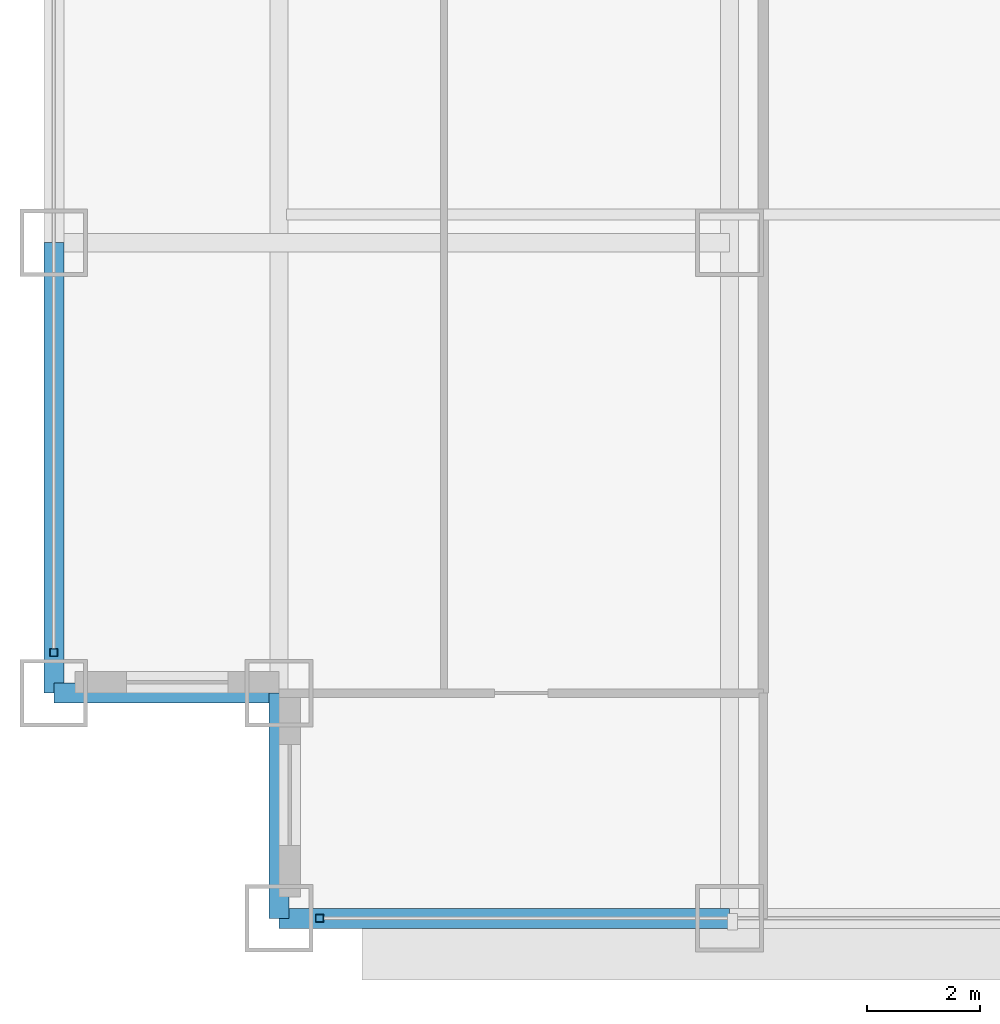
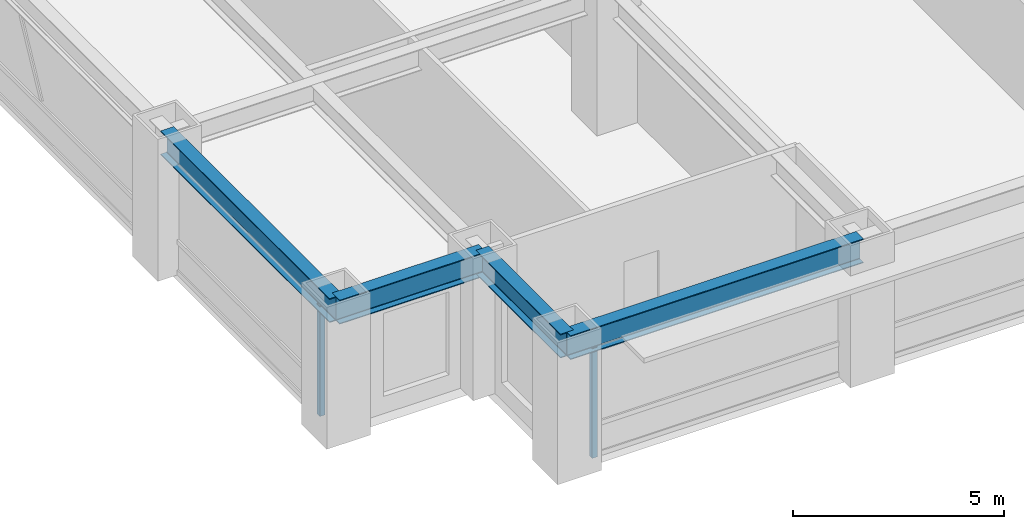
# One storey, part 2 of 32: 4 beams, 2 members, 2 elements without a shape of their own.
"""IFC4 building model written with IfcOpenShell, lengths in metres."""

from ifc_helpers import new_model, si_unit, direction, frame, origin, origin_2d, place, context, subcontext, project, spatial, hollow_rectangle, i_section, extrude, source, transform, mapped, material, material_profile, profile_set, type_object, element, aggregate, save


model = new_model("IFC4")

# Units and contexts
model_context = context("Model", 3, precision=1e-05, world=origin(), true_north=direction((0.0, 1.0)))
body_context = subcontext(model_context, "Body", "Model", "MODEL_VIEW")
ifc_project = project(units=[si_unit("LENGTHUNIT", "METRE"), si_unit("AREAUNIT", "SQUARE_METRE"), si_unit("VOLUMEUNIT", "CUBIC_METRE"), si_unit("PLANEANGLEUNIT", "RADIAN"), si_unit("MASSUNIT", "GRAM", prefix="KILO")], contexts=[model_context])

# Site, building, storey
site_placement = place(None, origin())
site = spatial("IfcSite", under=ifc_project, at=site_placement, CompositionType="ELEMENT")
building_placement = place(site_placement, origin())
building = spatial("IfcBuilding", under=site, at=building_placement, Name="Khorayat Bourse Tower", CompositionType="ELEMENT")
storey_placement = place(building_placement, frame((0.0, 0.0, 128.300048828125)))
storey = spatial("IfcBuildingStorey", under=building, at=storey_placement, Name="L29", CompositionType="ELEMENT", Elevation=128.300048828125)

# Beams
ifc_material_1 = material(Name="Steel ASTM A992 Grade 50", Category="steel")
ifc_material_profile_1 = material_profile(ifc_material_1, i_section(OverallWidth=0.35498046875, OverallDepth=0.695068359375, WebThickness=0.015380859375, FlangeThickness=0.02490234375, FilletRadius=0.01806640625, at=origin_2d()), Name="W690X217")
ifc_profile_set_1 = profile_set([ifc_material_profile_1], Name="Steel ASTM A992 Grade 50")
beam_type = type_object("IfcBeamType", Name="BM-SPAN-690", PredefinedType="SPANDREL", material=ifc_profile_set_1)
shared_shape_1 = source(origin(), body_context, "Body", "SweptSolid", [
    extrude(i_section(OverallWidth=0.35498046875, OverallDepth=0.695068359375, WebThickness=0.015380859375, FlangeThickness=0.02490234375, FilletRadius=0.01806640625, at=origin_2d()), origin(), (0.0, 0.0, 1.0), 8.0),
])
for number, where, z_axis, x_axis, name in (
    (1, (-28.0, -32.0, 3.492431640625), (1.0, 0.0, 0.0), (0.0, 1.0, 0.0), "L29 BM-SPAN-690 BM-L29-SPN-024"),
    (2, (-32.0, -28.0, 3.492431640625), (0.0, 1.0, 0.0), (-1.0, 0.0, 0.0), "L29 BM-SPAN-690 BM-L29-SPN-061"),
):
    element("IfcBeam", number, at=place(storey_placement, frame(where, z_axis=z_axis, x_axis=x_axis)), inside=storey, type_object=beam_type, Name=name, PredefinedType="SPANDREL", context=body_context, shape_type="MappedRepresentation", body=[
        mapped(shared_shape_1, transform((0.0, 0.0, 0.0), scale=1.0)),
    ])
shared_shape_2 = source(origin(), body_context, "Body", "SweptSolid", [
    extrude(i_section(OverallWidth=0.35498046875, OverallDepth=0.695068359375, WebThickness=0.015380859375, FlangeThickness=0.02490234375, FilletRadius=0.01806640625, at=origin_2d()), origin(), (0.0, 0.0, 1.0), 4.0),
])
for number, where, z_axis, x_axis, name in (
    (3, (-32.0, -28.0, 3.492431640625), (1.0, 0.0, 0.0), (0.0, 1.0, 0.0), "L29 BM-SPAN-690 BM-L29-SPN-062"),
    (4, (-28.0, -32.0, 3.492431640625), (0.0, 1.0, 0.0), (-1.0, 0.0, 0.0), "L29 BM-SPAN-690 BM-L29-SPN-063"),
):
    element("IfcBeam", number, at=place(storey_placement, frame(where, z_axis=z_axis, x_axis=x_axis)), inside=storey, type_object=beam_type, Name=name, PredefinedType="SPANDREL", context=body_context, shape_type="MappedRepresentation", body=[
        mapped(shared_shape_2, transform((0.0, 0.0, 0.0), scale=1.0)),
    ])

# Curtain wall, member
ifc_material_2 = material(Name="Aluminium EN AW-6063 T6", Category="aluminium")
curtain_wall_type = type_object("IfcCurtainWallType", Name="CW-SYS-02", PredefinedType="NOTDEFINED", material=ifc_material_2)
curtain_wall_1_placement = place(storey_placement, origin())
curtain_wall_1 = element("IfcCurtainWall", 5, at=curtain_wall_1_placement, inside=storey, type_object=curtain_wall_type, Name="L29 Curtain Wall CW-L29-S1", PredefinedType="NOTDEFINED")
ifc_material_profile_2 = material_profile(ifc_material_2, hollow_rectangle(XDim=0.139892578125, YDim=0.139892578125, WallThickness=0.006103515625, at=origin_2d()), Name="ALU 140x140x6")
ifc_profile_set_2 = profile_set([ifc_material_profile_2], Name="Aluminium EN AW-6063 T6")
member_type = type_object("IfcMemberType", Name="CWM-VERT-140", PredefinedType="MULLION", material=ifc_profile_set_2)
shared_shape_3 = source(origin(), body_context, "Body", "SweptSolid", [
    extrude(hollow_rectangle(XDim=0.139892578125, YDim=0.139892578125, WallThickness=0.006103515625, at=origin_2d()), origin(), (0.0, 0.0, 1.0), 3.18994140625),
])
member_1_placement = place(storey_placement, frame((-27.280029296875, -32.0, 0.0), z_axis=(0.0, 0.0, 1.0), x_axis=(0.0, 1.0, 0.0)))
member_1 = element("IfcMember", 6, at=member_1_placement, type_object=member_type, Name="CW-L29-S1 Vertical Mullion 1", PredefinedType="MULLION", context=body_context, shape_type="MappedRepresentation", body=[
    mapped(shared_shape_3, transform((0.0, 0.0, 0.0), scale=1.0)),
])
aggregate(curtain_wall_1, [member_1])

curtain_wall_2_placement = place(storey_placement, origin())
curtain_wall_2 = element("IfcCurtainWall", 7, at=curtain_wall_2_placement, inside=storey, type_object=curtain_wall_type, Name="L29 Curtain Wall CW-L29-W1", PredefinedType="NOTDEFINED")
member_2_placement = place(storey_placement, frame((-32.0, -27.280029296875, 0.0), z_axis=(0.0, 0.0, 1.0), x_axis=(-1.0, 0.0, 0.0)))
member_2 = element("IfcMember", 8, at=member_2_placement, type_object=member_type, Name="CW-L29-W1 Vertical Mullion 1", PredefinedType="MULLION", context=body_context, shape_type="MappedRepresentation", body=[
    mapped(shared_shape_3, transform((0.0, 0.0, 0.0), scale=1.0)),
])
aggregate(curtain_wall_2, [member_2])

save(model, "model.ifc")
